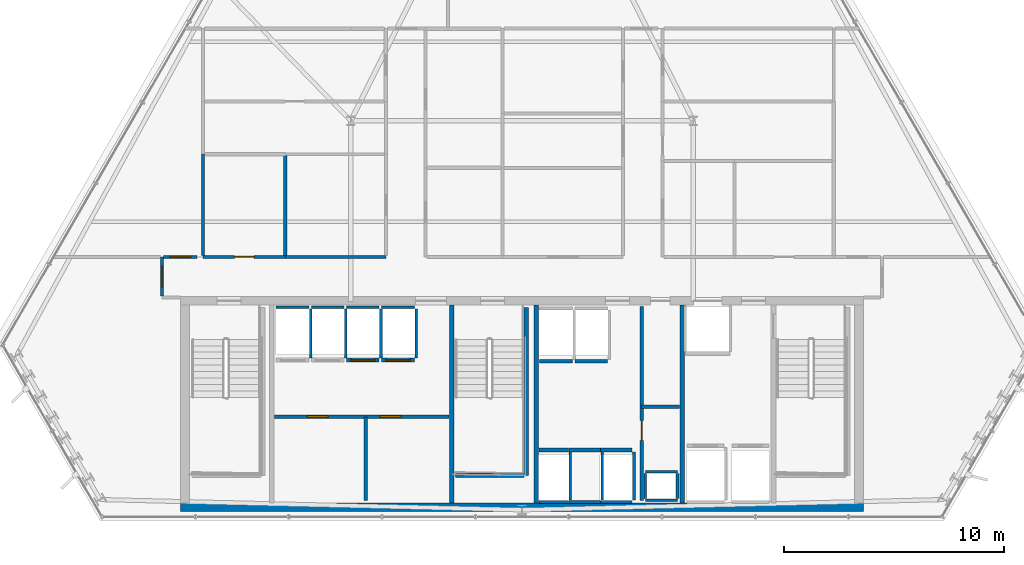
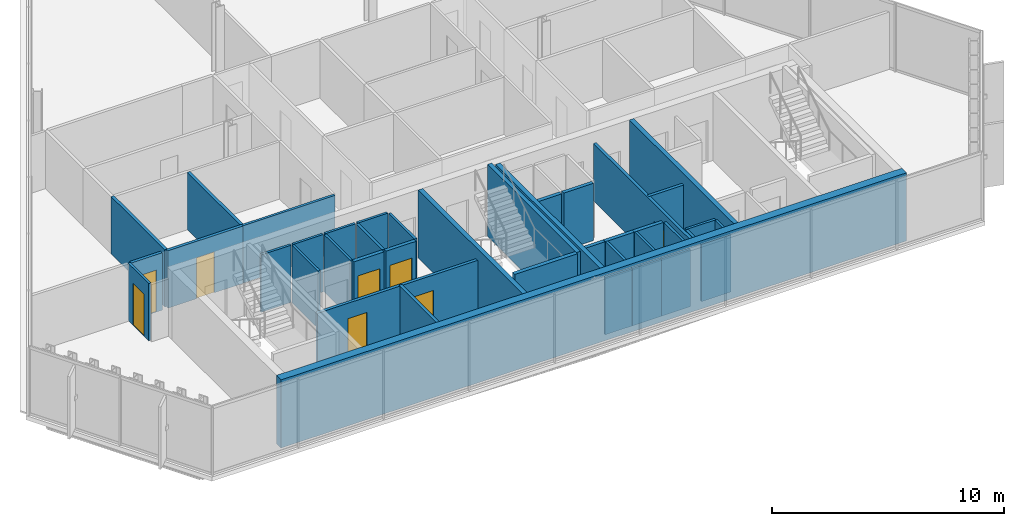
# One storey, part 27 of 34: 41 walls, 8 doors, 8 openings.
"""IFC4 building model written with IfcOpenShell, lengths in metres."""

from ifc_helpers import new_model, si_unit, direction, frame, frame_2d, origin, place, context, subcontext, project, spatial, rectangle, extrude, material, layer, layer_set, type_object, element, fill, save


model = new_model("IFC4")

# Units and contexts
model_context = context("Model", 3, precision=1e-05, world=origin(), true_north=direction((0.0, 1.0)))
body_context = subcontext(model_context, "Body", "Model", "MODEL_VIEW")
ifc_project = project(units=[si_unit("LENGTHUNIT", "METRE"), si_unit("AREAUNIT", "SQUARE_METRE"), si_unit("VOLUMEUNIT", "CUBIC_METRE"), si_unit("PLANEANGLEUNIT", "RADIAN"), si_unit("MASSUNIT", "GRAM", prefix="KILO")], contexts=[model_context])

# Site, building, storey
site_placement = place(None, origin())
site = spatial("IfcSite", under=ifc_project, at=site_placement, CompositionType="ELEMENT")
building_placement = place(site_placement, origin())
building = spatial("IfcBuilding", under=site, at=building_placement, Name="Ndaravel Arena Tower", CompositionType="ELEMENT")
storey_placement = place(building_placement, frame((0.0, 0.0, 191.60009765625)))
storey = spatial("IfcBuildingStorey", under=building, at=storey_placement, Name="L46", CompositionType="ELEMENT", Elevation=191.60009765625)

# Wall, opening, door
ifc_material_1 = material(Name="Gypsum", Category="gypsum")
ifc_layer_1 = layer(ifc_material_1, 0.14990234375)
ifc_layer_set_1 = layer_set([ifc_layer_1], Name="Gypsum")
wall_type_1 = type_object("IfcWallType", Name="WALL-COMP-150", PredefinedType="PARTITIONING", material=ifc_layer_set_1)
wall_1_placement = place(storey_placement, frame((47.449951171875, 5.89990234375, 0.0), z_axis=(0.0, 0.0, 1.0), x_axis=(0.0, 1.0, 0.0)))
wall_1 = element("IfcWall", 1, at=wall_1_placement, inside=storey, type_object=wall_type_1, Name="L46 Core Riser Bay Partition", PredefinedType="PARTITIONING", context=body_context, shape_type="SweptSolid", body=[
    extrude(rectangle(XDim=8.85009765625, YDim=0.14990234375, at=frame_2d((4.425048828125, 0.0))), origin(), (0.0, 0.0, 1.0), 3.010498046875),
])
opening_1_placement = place(wall_1_placement, frame((2.75, 0.0, 0.0)))
opening_1 = element("IfcOpeningElement", 2, at=opening_1_placement, cuts=wall_1, Name="Opening RD-01", PredefinedType="OPENING", context=body_context, shape_type="SweptSolid", body=[
    extrude(rectangle(XDim=0.89990234375, YDim=2.10009765625, at=frame_2d((0.449951171875, 1.050048828125))), frame((0.0, 0.074951171875, 0.0), z_axis=(0.0, -1.0, 0.0), x_axis=(1.0, 0.0, 0.0)), (0.0, 0.0, 1.0), 0.14990234375),
])
ifc_material_2 = material(Name="Steel S355", Category="steel")
door_type_1 = type_object("IfcDoorType", Name="DT-08-RISER-900", OperationType="SINGLE_SWING_LEFT", PredefinedType="DOOR", material=ifc_material_2)
door_1_placement = place(opening_1_placement, origin())
door_1 = element("IfcDoor", 3, at=door_1_placement, inside=storey, type_object=door_type_1, Name="L46 Electrical Riser Door", OperationType="SINGLE_SWING_RIGHT", OverallHeight=2.10009765625, OverallWidth=0.89990234375, PredefinedType="DOOR", context=body_context, shape_type="SweptSolid", body=[
    extrude(rectangle(XDim=0.89990234375, YDim=2.10009765625, at=frame_2d((0.449951171875, 1.050048828125))), frame((0.0, 0.02490234375, 0.0), z_axis=(0.0, -1.0, 0.0), x_axis=(1.0, 0.0, 0.0)), (0.0, 0.0, 1.0), 0.050048828125),
])
fill(opening_1, door_1)

# Wall
wall_2_placement = place(storey_placement, frame((47.449951171875, 10.179931640625, 0.0), z_axis=(0.0, 0.0, 1.0), x_axis=(1.0, 0.0, 0.0)))
element("IfcWall", 4, at=wall_2_placement, inside=storey, type_object=wall_type_1, Name="L46 Core Riser Divider 1", PredefinedType="PARTITIONING", context=body_context, shape_type="SweptSolid", body=[
    extrude(rectangle(XDim=1.72998046875, YDim=0.14990234375, at=frame_2d((0.864990234375, 0.0))), origin(), (0.0, 0.0, 1.0), 3.010498046875),
])

# Wall, openings, doors
wall_3_placement = place(storey_placement, frame((30.719970703125, 9.719970703125, 0.0), z_axis=(0.0, 0.0, 1.0), x_axis=(1.0, 0.0, 0.0)))
wall_3 = element("IfcWall", 5, at=wall_3_placement, inside=storey, type_object=wall_type_1, Name="L46 Reclaimed Shaft Partition", PredefinedType="PARTITIONING", context=body_context, shape_type="SweptSolid", body=[
    extrude(rectangle(XDim=7.9599609375, YDim=0.14990234375, at=frame_2d((3.97998046875, 0.0))), origin(), (0.0, 0.0, 1.0), 3.010498046875),
])
opening_2_placement = place(wall_3_placement, frame((1.5, 0.0, 0.0)))
opening_2 = element("IfcOpeningElement", 6, at=opening_2_placement, cuts=wall_3, Name="Opening FD-03", PredefinedType="OPENING", context=body_context, shape_type="SweptSolid", body=[
    extrude(rectangle(XDim=0.949951171875, YDim=2.199951171875, at=frame_2d((0.47509765625, 1.10009765625))), frame((0.0, 0.074951171875, 0.0), z_axis=(0.0, -1.0, 0.0), x_axis=(1.0, 0.0, 0.0)), (0.0, 0.0, 1.0), 0.14990234375),
])
opening_3_placement = place(wall_3_placement, frame((4.81005859375, 0.0, 0.0)))
opening_3 = element("IfcOpeningElement", 7, at=opening_3_placement, cuts=wall_3, Name="Opening FD-03", PredefinedType="OPENING", context=body_context, shape_type="SweptSolid", body=[
    extrude(rectangle(XDim=0.949951171875, YDim=2.199951171875, at=frame_2d((0.47509765625, 1.10009765625))), frame((0.0, 0.074951171875, 0.0), z_axis=(0.0, -1.0, 0.0), x_axis=(1.0, 0.0, 0.0)), (0.0, 0.0, 1.0), 0.14990234375),
])
ifc_material_3 = material(Name="Steel S355", Category="steel")
door_type_2 = type_object("IfcDoorType", Name="DT-11-CORE-950", OperationType="SINGLE_SWING_LEFT", PredefinedType="DOOR", material=ifc_material_3)
door_2_placement = place(opening_2_placement, origin())
door_2 = element("IfcDoor", 8, at=door_2_placement, inside=storey, type_object=door_type_2, Name="L46 ICT Server Room Door", OperationType="SINGLE_SWING_LEFT", OverallHeight=2.199951171875, OverallWidth=0.949951171875, PredefinedType="DOOR", context=body_context, shape_type="SweptSolid", body=[
    extrude(rectangle(XDim=0.949951171875, YDim=2.199951171875, at=frame_2d((0.47509765625, 1.10009765625))), frame((0.0, 0.02490234375, 0.0), z_axis=(0.0, -1.0, 0.0), x_axis=(1.0, 0.0, 0.0)), (0.0, 0.0, 1.0), 0.050048828125),
])
fill(opening_2, door_2)
door_3_placement = place(opening_3_placement, origin())
door_3 = element("IfcDoor", 9, at=door_3_placement, inside=storey, type_object=door_type_2, Name="L46 Core Archive Room Door", OperationType="SINGLE_SWING_RIGHT", OverallHeight=2.199951171875, OverallWidth=0.949951171875, PredefinedType="DOOR", context=body_context, shape_type="SweptSolid", body=[
    extrude(rectangle(XDim=0.949951171875, YDim=2.199951171875, at=frame_2d((0.47509765625, 1.10009765625))), frame((0.0, 0.02490234375, 0.0), z_axis=(0.0, -1.0, 0.0), x_axis=(1.0, 0.0, 0.0)), (0.0, 0.0, 1.0), 0.050048828125),
])
fill(opening_3, door_3)

# Walls
wall_4_placement = place(storey_placement, frame((34.8798828125, 5.89990234375, 0.0), z_axis=(0.0, 0.0, 1.0), x_axis=(0.0, 1.0, 0.0)))
element("IfcWall", 10, at=wall_4_placement, inside=storey, type_object=wall_type_1, Name="L46 Reclaimed Bay Divider", PredefinedType="PARTITIONING", context=body_context, shape_type="SweptSolid", body=[
    extrude(rectangle(XDim=3.820068359375, YDim=0.14990234375, at=frame_2d((1.91015625, 0.0))), origin(), (0.0, 0.0, 1.0), 3.010498046875),
])
ifc_material_4 = material(Name="Concrete C50/60", Category="concrete")
ifc_layer_2 = layer(ifc_material_4, 0.219970703125)
ifc_layer_set_2 = layer_set([ifc_layer_2], Name="Concrete C50/60")
wall_type_2 = type_object("IfcWallType", Name="WALL-CORE-220", PredefinedType="SOLIDWALL", material=ifc_layer_set_2)
for number, where, z_axis, x_axis, name in (
    (11, (38.800048828125, 5.800048828125, 0.0), (0.0, 0.0, 1.0), (0.0, 1.0, 0.0), "L46 Core Web Shear Wall 2"),
    (12, (42.64990234375, 5.800048828125, 0.0), (0.0, 0.0, 1.0), (0.0, 1.0, 0.0), "L46 Core Web Shear Wall 3"),
    (13, (49.300048828125, 5.800048828125, 0.0), (0.0, 0.0, 1.0), (0.0, 1.0, 0.0), "L46 Core Web Shear Wall 4"),
):
    element("IfcWall", number, at=place(storey_placement, frame(where, z_axis=z_axis, x_axis=x_axis)), inside=storey, type_object=wall_type_2, Name=name, PredefinedType="SOLIDWALL", context=body_context, shape_type="SweptSolid", body=[
        extrude(rectangle(XDim=9.0, YDim=0.219970703125, at=frame_2d((4.5, 0.0))), origin(), (0.0, 0.0, 1.0), 3.579833984375),
    ])
ifc_material_5 = material(Name="Concrete C50/60", Category="concrete")
ifc_layer_3 = layer(ifc_material_5, 0.39990234375)
ifc_layer_set_3 = layer_set([ifc_layer_3], Name="Concrete C50/60")
wall_type_3 = type_object("IfcWallType", Name="WALL-CORE-400", PredefinedType="SOLIDWALL", material=ifc_layer_set_3)
wall_5_placement = place(storey_placement, frame((26.449951171875, 5.60009765625, 0.0), z_axis=(0.0, 0.0, 1.0), x_axis=(1.0, 0.0, 0.0)))
element("IfcWall", 14, at=wall_5_placement, inside=storey, type_object=wall_type_3, Name="L46 Core South Shear Wall", PredefinedType="SOLIDWALL", context=body_context, shape_type="SweptSolid", body=[
    extrude(rectangle(XDim=31.10009765625, YDim=0.39990234375, at=frame_2d((15.550048828125, 0.0))), origin(), (0.0, 0.0, 1.0), 3.579833984375),
])

# Wall, opening, door
ifc_material_6 = material(Name="Gypsum", Category="gypsum")
ifc_layer_4 = layer(ifc_material_6, 0.125)
ifc_layer_set_4 = layer_set([ifc_layer_4], Name="Gypsum")
wall_type_4 = type_object("IfcWallType", Name="WALL-PART-125", PredefinedType="PARTITIONING", material=ifc_layer_set_4)
wall_6_placement = place(storey_placement, frame((25.60009765625, 15.215087890625, 0.0), z_axis=(0.0, 0.0, 1.0), x_axis=(0.0, 1.0, 0.0)))
wall_6 = element("IfcWall", 15, at=wall_6_placement, inside=storey, type_object=wall_type_4, Name="L46 Interior Partition 004", PredefinedType="PARTITIONING", context=body_context, shape_type="SweptSolid", body=[
    extrude(rectangle(XDim=1.784912109375, YDim=0.125, at=frame_2d((0.892578125, 0.0))), origin(), (0.0, 0.0, 1.0), 3.010498046875),
])
opening_4_placement = place(wall_6_placement, frame((0.41748046875, 0.0, 0.0)))
opening_4 = element("IfcOpeningElement", 16, at=opening_4_placement, cuts=wall_6, Name="Opening ID-01", PredefinedType="OPENING", context=body_context, shape_type="SweptSolid", body=[
    extrude(rectangle(XDim=0.949951171875, YDim=2.199951171875, at=frame_2d((0.47509765625, 1.10009765625))), frame((0.0, 0.0625, 0.0), z_axis=(0.0, -1.0, 0.0), x_axis=(1.0, 0.0, 0.0)), (0.0, 0.0, 1.0), 0.125),
])
ifc_material_7 = material(Name="Timber", Category="wood")
door_type_3 = type_object("IfcDoorType", Name="DT-03-OFFICE-950", OperationType="SINGLE_SWING_LEFT", PredefinedType="DOOR", material=ifc_material_7)
door_4_placement = place(opening_4_placement, origin())
door_4 = element("IfcDoor", 17, at=door_4_placement, inside=storey, type_object=door_type_3, Name="L46 Collaborative Lounge Door", OperationType="SINGLE_SWING_LEFT", OverallHeight=2.199951171875, OverallWidth=0.949951171875, PredefinedType="DOOR", context=body_context, shape_type="SweptSolid", body=[
    extrude(rectangle(XDim=0.949951171875, YDim=2.199951171875, at=frame_2d((0.47509765625, 1.10009765625))), frame((0.0, 0.02490234375, 0.0), z_axis=(0.0, -1.0, 0.0), x_axis=(1.0, 0.0, 0.0)), (0.0, 0.0, 1.0), 0.050048828125),
])
fill(opening_4, door_4)

# Walls
wall_7_placement = place(storey_placement, frame((31.220458984375, 17.0, 0.0), z_axis=(0.0, 0.0, 1.0), x_axis=(1.0, 0.0, 0.0)))
element("IfcWall", 18, at=wall_7_placement, inside=storey, type_object=wall_type_4, Name="L46 Interior Partition 007", PredefinedType="PARTITIONING", context=body_context, shape_type="SweptSolid", body=[
    extrude(rectangle(XDim=4.57958984375, YDim=0.125, at=frame_2d((2.289794921875, 0.0))), origin(), (0.0, 0.0, 1.0), 3.010498046875),
])
ifc_material_8 = material(Name="Concrete C40/50", Category="concrete")
ifc_layer_5 = layer(ifc_material_8, 0.1201171875)
ifc_layer_set_5 = layer_set([ifc_layer_5], Name="Concrete C40/50")
wall_type_5 = type_object("IfcWallType", Name="WALL-SHAFT-120", PredefinedType="SOLIDWALL", material=ifc_layer_set_5)
for number, where, z_axis, x_axis, name in (
    (19, (47.6201171875, 5.919921875, 0.0), (0.0, 0.0, 1.0), (1.0, 0.0, 0.0), "L46 MEP Riser Shaft S Wall"),
    (20, (47.6201171875, 7.219970703125, 0.0), (0.0, 0.0, 1.0), (1.0, 0.0, 0.0), "L46 MEP Riser Shaft N Wall"),
):
    element("IfcWall", number, at=place(storey_placement, frame(where, z_axis=z_axis, x_axis=x_axis)), inside=storey, type_object=wall_type_5, Name=name, PredefinedType="SOLIDWALL", context=body_context, shape_type="SweptSolid", body=[
        extrude(rectangle(XDim=1.4599609375, YDim=0.1201171875, at=frame_2d((0.72998046875, 0.0))), origin(), (0.0, 0.0, 1.0), 3.010498046875),
    ])
for number, where, z_axis, x_axis, name in (
    (21, (47.6201171875, 6.0, 0.0), (0.0, 0.0, 1.0), (0.0, 1.0, 0.0), "L46 MEP Riser Shaft W Wall"),
    (22, (49.080078125, 6.0, 0.0), (0.0, 0.0, 1.0), (0.0, 1.0, 0.0), "L46 MEP Riser Shaft E Wall"),
):
    element("IfcWall", number, at=place(storey_placement, frame(where, z_axis=z_axis, x_axis=x_axis)), inside=storey, type_object=wall_type_5, Name=name, PredefinedType="SOLIDWALL", context=body_context, shape_type="SweptSolid", body=[
        extrude(rectangle(XDim=1.139892578125, YDim=0.1201171875, at=frame_2d((0.56982421875, 0.0))), origin(), (0.0, 0.0, 1.0), 3.010498046875),
    ])
wall_8_placement = place(storey_placement, frame((30.804931640625, 14.7099609375, 0.0), z_axis=(0.0, 0.0, 1.0), x_axis=(1.0, 0.0, 0.0)))
element("IfcWall", 23, at=wall_8_placement, inside=storey, type_object=wall_type_5, Name="L46 PL-M1 Shaft Rear Wall", PredefinedType="SOLIDWALL", context=body_context, shape_type="SweptSolid", body=[
    extrude(rectangle(XDim=1.489990234375, YDim=0.1201171875, at=frame_2d((0.7451171875, 0.0))), origin(), (0.0, 0.0, 1.0), 3.010498046875),
])
wall_9_placement = place(storey_placement, frame((32.375, 12.389892578125, 0.0), z_axis=(0.0, 0.0, 1.0), x_axis=(0.0, 1.0, 0.0)))
element("IfcWall", 24, at=wall_9_placement, inside=storey, type_object=wall_type_5, Name="L46 PL-M1 Shaft Side R Wall", PredefinedType="SOLIDWALL", context=body_context, shape_type="SweptSolid", body=[
    extrude(rectangle(XDim=2.230224609375, YDim=0.1201171875, at=frame_2d((1.115234375, 0.0))), origin(), (0.0, 0.0, 1.0), 3.010498046875),
])
wall_10_placement = place(storey_placement, frame((32.405029296875, 14.7099609375, 0.0), z_axis=(0.0, 0.0, 1.0), x_axis=(1.0, 0.0, 0.0)))
element("IfcWall", 25, at=wall_10_placement, inside=storey, type_object=wall_type_5, Name="L46 PL-M2 Shaft Rear Wall", PredefinedType="SOLIDWALL", context=body_context, shape_type="SweptSolid", body=[
    extrude(rectangle(XDim=1.489990234375, YDim=0.1201171875, at=frame_2d((0.7451171875, 0.0))), origin(), (0.0, 0.0, 1.0), 3.010498046875),
])
wall_11_placement = place(storey_placement, frame((33.97509765625, 12.389892578125, 0.0), z_axis=(0.0, 0.0, 1.0), x_axis=(0.0, 1.0, 0.0)))
element("IfcWall", 26, at=wall_11_placement, inside=storey, type_object=wall_type_5, Name="L46 PL-M2 Shaft Side R Wall", PredefinedType="SOLIDWALL", context=body_context, shape_type="SweptSolid", body=[
    extrude(rectangle(XDim=2.230224609375, YDim=0.1201171875, at=frame_2d((1.115234375, 0.0))), origin(), (0.0, 0.0, 1.0), 3.010498046875),
])
wall_12_placement = place(storey_placement, frame((34.0048828125, 14.7099609375, 0.0), z_axis=(0.0, 0.0, 1.0), x_axis=(1.0, 0.0, 0.0)))
element("IfcWall", 27, at=wall_12_placement, inside=storey, type_object=wall_type_5, Name="L46 PL-M3 Shaft Rear Wall", PredefinedType="SOLIDWALL", context=body_context, shape_type="SweptSolid", body=[
    extrude(rectangle(XDim=1.490234375, YDim=0.1201171875, at=frame_2d((0.7451171875, 0.0))), origin(), (0.0, 0.0, 1.0), 3.010498046875),
])
wall_13_placement = place(storey_placement, frame((35.574951171875, 12.389892578125, 0.0), z_axis=(0.0, 0.0, 1.0), x_axis=(0.0, 1.0, 0.0)))
element("IfcWall", 28, at=wall_13_placement, inside=storey, type_object=wall_type_5, Name="L46 PL-M3 Shaft Side R Wall", PredefinedType="SOLIDWALL", context=body_context, shape_type="SweptSolid", body=[
    extrude(rectangle(XDim=2.230224609375, YDim=0.1201171875, at=frame_2d((1.115234375, 0.0))), origin(), (0.0, 0.0, 1.0), 3.010498046875),
])
wall_14_placement = place(storey_placement, frame((35.60498046875, 14.7099609375, 0.0), z_axis=(0.0, 0.0, 1.0), x_axis=(1.0, 0.0, 0.0)))
element("IfcWall", 29, at=wall_14_placement, inside=storey, type_object=wall_type_5, Name="L46 PL-M4 Shaft Rear Wall", PredefinedType="SOLIDWALL", context=body_context, shape_type="SweptSolid", body=[
    extrude(rectangle(XDim=1.489990234375, YDim=0.1201171875, at=frame_2d((0.7451171875, 0.0))), origin(), (0.0, 0.0, 1.0), 3.010498046875),
])
wall_15_placement = place(storey_placement, frame((37.175048828125, 12.389892578125, 0.0), z_axis=(0.0, 0.0, 1.0), x_axis=(0.0, 1.0, 0.0)))
element("IfcWall", 30, at=wall_15_placement, inside=storey, type_object=wall_type_5, Name="L46 PL-M4 Shaft Side R Wall", PredefinedType="SOLIDWALL", context=body_context, shape_type="SweptSolid", body=[
    extrude(rectangle(XDim=2.230224609375, YDim=0.1201171875, at=frame_2d((1.115234375, 0.0))), origin(), (0.0, 0.0, 1.0), 3.010498046875),
])
wall_16_placement = place(storey_placement, frame((42.780029296875, 5.840087890625, 0.0), z_axis=(0.0, 0.0, 1.0), x_axis=(1.0, 0.0, 0.0)))
element("IfcWall", 31, at=wall_16_placement, inside=storey, type_object=wall_type_5, Name="L46 PL-H1 Shaft Rear Wall", PredefinedType="SOLIDWALL", context=body_context, shape_type="SweptSolid", body=[
    extrude(rectangle(XDim=1.340087890625, YDim=0.1201171875, at=frame_2d((0.669921875, 0.0))), origin(), (0.0, 0.0, 1.0), 3.010498046875),
])
wall_17_placement = place(storey_placement, frame((44.199951171875, 5.929931640625, 0.0), z_axis=(0.0, 0.0, 1.0), x_axis=(0.0, 1.0, 0.0)))
element("IfcWall", 32, at=wall_17_placement, inside=storey, type_object=wall_type_5, Name="L46 PL-H1 Shaft Side R Wall", PredefinedType="SOLIDWALL", context=body_context, shape_type="SweptSolid", body=[
    extrude(rectangle(XDim=2.18017578125, YDim=0.1201171875, at=frame_2d((1.090087890625, 0.0))), origin(), (0.0, 0.0, 1.0), 3.010498046875),
])
wall_18_placement = place(storey_placement, frame((44.1298828125, 5.840087890625, 0.0), z_axis=(0.0, 0.0, 1.0), x_axis=(1.0, 0.0, 0.0)))
element("IfcWall", 33, at=wall_18_placement, inside=storey, type_object=wall_type_5, Name="L46 PL-H2 Shaft Rear Wall", PredefinedType="SOLIDWALL", context=body_context, shape_type="SweptSolid", body=[
    extrude(rectangle(XDim=1.440185546875, YDim=0.1201171875, at=frame_2d((0.72021484375, 0.0))), origin(), (0.0, 0.0, 1.0), 3.010498046875),
])
wall_19_placement = place(storey_placement, frame((45.64990234375, 5.929931640625, 0.0), z_axis=(0.0, 0.0, 1.0), x_axis=(0.0, 1.0, 0.0)))
element("IfcWall", 34, at=wall_19_placement, inside=storey, type_object=wall_type_5, Name="L46 PL-H2 Shaft Side R Wall", PredefinedType="SOLIDWALL", context=body_context, shape_type="SweptSolid", body=[
    extrude(rectangle(XDim=2.18017578125, YDim=0.1201171875, at=frame_2d((1.090087890625, 0.0))), origin(), (0.0, 0.0, 1.0), 3.010498046875),
])
wall_20_placement = place(storey_placement, frame((45.580078125, 5.840087890625, 0.0), z_axis=(0.0, 0.0, 1.0), x_axis=(1.0, 0.0, 0.0)))
element("IfcWall", 35, at=wall_20_placement, inside=storey, type_object=wall_type_5, Name="L46 PL-H3 Shaft Rear Wall", PredefinedType="SOLIDWALL", context=body_context, shape_type="SweptSolid", body=[
    extrude(rectangle(XDim=1.43994140625, YDim=0.1201171875, at=frame_2d((0.719970703125, 0.0))), origin(), (0.0, 0.0, 1.0), 3.010498046875),
])
wall_21_placement = place(storey_placement, frame((47.10009765625, 5.929931640625, 0.0), z_axis=(0.0, 0.0, 1.0), x_axis=(0.0, 1.0, 0.0)))
element("IfcWall", 36, at=wall_21_placement, inside=storey, type_object=wall_type_5, Name="L46 PL-H3 Shaft Side R Wall", PredefinedType="SOLIDWALL", context=body_context, shape_type="SweptSolid", body=[
    extrude(rectangle(XDim=2.18017578125, YDim=0.1201171875, at=frame_2d((1.090087890625, 0.0))), origin(), (0.0, 0.0, 1.0), 3.010498046875),
])
ifc_material_9 = material(Name="Concrete C40/50", Category="concrete")
ifc_layer_6 = layer(ifc_material_9, 0.199951171875)
ifc_layer_set_6 = layer_set([ifc_layer_6], Name="Concrete C40/50")
wall_type_6 = type_object("IfcWallType", Name="WALL-SHAFT-200", PredefinedType="SOLIDWALL", material=ifc_layer_set_6)
wall_22_placement = place(storey_placement, frame((42.18994140625, 14.699951171875, 0.0), z_axis=(0.0, 0.0, 1.0), x_axis=(0.0, -1.0, 0.0)))
element("IfcWall", 37, at=wall_22_placement, inside=storey, type_object=wall_type_6, Name="L46 ST-2 Structural Shaft Wall Right", PredefinedType="SOLIDWALL", context=body_context, shape_type="SweptSolid", body=[
    extrude(rectangle(XDim=7.64990234375, YDim=0.199951171875, at=frame_2d((3.824951171875, 0.0))), origin(), (0.0, 0.0, 1.0), 3.7998046875),
])
wall_23_placement = place(storey_placement, frame((38.969970703125, 7.050048828125, 0.0), z_axis=(0.0, 0.0, 1.0), x_axis=(1.0, 0.0, 0.0)))
element("IfcWall", 38, at=wall_23_placement, inside=storey, type_object=wall_type_6, Name="L46 ST-2 Structural Shaft Wall Far", PredefinedType="SOLIDWALL", context=body_context, shape_type="SweptSolid", body=[
    extrude(rectangle(XDim=3.114990234375, YDim=0.199951171875, at=frame_2d((1.5576171875, 0.0))), origin(), (0.0, 0.0, 1.0), 3.7998046875),
])

# Wall, opening, door
wall_24_placement = place(storey_placement, frame((34.0048828125, 12.300048828125, 0.0), z_axis=(0.0, 0.0, 1.0), x_axis=(1.0, 0.0, 0.0)))
wall_24 = element("IfcWall", 39, at=wall_24_placement, inside=storey, type_object=wall_type_6, Name="L46 PL-M3 Shaft Landing Wall", PredefinedType="SOLIDWALL", context=body_context, shape_type="SweptSolid", body=[
    extrude(rectangle(XDim=1.490234375, YDim=0.179931640625, at=frame_2d((0.7451171875, 0.0))), origin(), (0.0, 0.0, 1.0), 3.010498046875),
])
opening_5_placement = place(wall_24_placement, frame((0.195068359375, 0.0, 0.0)))
opening_5 = element("IfcOpeningElement", 40, at=opening_5_placement, cuts=wall_24, Name="Opening LD-01", PredefinedType="OPENING", context=body_context, shape_type="SweptSolid", body=[
    extrude(rectangle(XDim=1.10009765625, YDim=2.199951171875, at=frame_2d((0.550048828125, 1.10009765625))), frame((0.0, 0.08984375, 0.0), z_axis=(0.0, -1.0, 0.0), x_axis=(1.0, 0.0, 0.0)), (0.0, 0.0, 1.0), 0.179931640625),
])
ifc_material_10 = material(Name="Steel S355", Category="steel")
door_type_4 = type_object("IfcDoorType", Name="DT-06-LIFT-1100", OperationType="SLIDING_TO_LEFT", PredefinedType="DOOR", material=ifc_material_10)
door_5_placement = place(opening_5_placement, origin())
door_5 = element("IfcDoor", 41, at=door_5_placement, inside=storey, type_object=door_type_4, Name="L46 Lift PL-M3 Sliding Landing Door", OperationType="SLIDING_TO_LEFT", OverallHeight=2.199951171875, OverallWidth=1.10009765625, PredefinedType="DOOR", context=body_context, shape_type="SweptSolid", body=[
    extrude(rectangle(XDim=1.10009765625, YDim=2.199951171875, at=frame_2d((0.550048828125, 1.10009765625))), frame((0.0, 0.02490234375, 0.0), z_axis=(0.0, -1.0, 0.0), x_axis=(1.0, 0.0, 0.0)), (0.0, 0.0, 1.0), 0.050048828125),
])
fill(opening_5, door_5)

wall_25_placement = place(storey_placement, frame((35.60498046875, 12.300048828125, 0.0), z_axis=(0.0, 0.0, 1.0), x_axis=(1.0, 0.0, 0.0)))
wall_25 = element("IfcWall", 42, at=wall_25_placement, inside=storey, type_object=wall_type_6, Name="L46 PL-M4 Shaft Landing Wall", PredefinedType="SOLIDWALL", context=body_context, shape_type="SweptSolid", body=[
    extrude(rectangle(XDim=1.489990234375, YDim=0.179931640625, at=frame_2d((0.7451171875, 0.0))), origin(), (0.0, 0.0, 1.0), 3.010498046875),
])
opening_6_placement = place(wall_25_placement, frame((0.195068359375, 0.0, 0.0)))
opening_6 = element("IfcOpeningElement", 43, at=opening_6_placement, cuts=wall_25, Name="Opening LD-01", PredefinedType="OPENING", context=body_context, shape_type="SweptSolid", body=[
    extrude(rectangle(XDim=1.10009765625, YDim=2.199951171875, at=frame_2d((0.550048828125, 1.10009765625))), frame((0.0, 0.08984375, 0.0), z_axis=(0.0, -1.0, 0.0), x_axis=(1.0, 0.0, 0.0)), (0.0, 0.0, 1.0), 0.179931640625),
])
door_6_placement = place(opening_6_placement, origin())
door_6 = element("IfcDoor", 44, at=door_6_placement, inside=storey, type_object=door_type_4, Name="L46 Lift PL-M4 Sliding Landing Door", OperationType="SLIDING_TO_LEFT", OverallHeight=2.199951171875, OverallWidth=1.10009765625, PredefinedType="DOOR", context=body_context, shape_type="SweptSolid", body=[
    extrude(rectangle(XDim=1.10009765625, YDim=2.199951171875, at=frame_2d((0.550048828125, 1.10009765625))), frame((0.0, 0.02490234375, 0.0), z_axis=(0.0, -1.0, 0.0), x_axis=(1.0, 0.0, 0.0)), (0.0, 0.0, 1.0), 0.050048828125),
])
fill(opening_6, door_6)

# Walls
wall_26_placement = place(storey_placement, frame((42.780029296875, 8.199951171875, 0.0), z_axis=(0.0, 0.0, 1.0), x_axis=(1.0, 0.0, 0.0)))
element("IfcWall", 45, at=wall_26_placement, inside=storey, type_object=wall_type_6, Name="L46 PL-H1 Shaft Landing Wall", PredefinedType="SOLIDWALL", context=body_context, shape_type="SweptSolid", body=[
    extrude(rectangle(XDim=1.340087890625, YDim=0.179931640625, at=frame_2d((0.669921875, 0.0))), origin(), (0.0, 0.0, 1.0), 3.010498046875),
])
wall_27_placement = place(storey_placement, frame((44.1298828125, 8.199951171875, 0.0), z_axis=(0.0, 0.0, 1.0), x_axis=(1.0, 0.0, 0.0)))
element("IfcWall", 46, at=wall_27_placement, inside=storey, type_object=wall_type_6, Name="L46 PL-H2 Shaft Landing Wall", PredefinedType="SOLIDWALL", context=body_context, shape_type="SweptSolid", body=[
    extrude(rectangle(XDim=1.440185546875, YDim=0.179931640625, at=frame_2d((0.72021484375, 0.0))), origin(), (0.0, 0.0, 1.0), 3.010498046875),
])
wall_28_placement = place(storey_placement, frame((45.580078125, 8.199951171875, 0.0), z_axis=(0.0, 0.0, 1.0), x_axis=(1.0, 0.0, 0.0)))
element("IfcWall", 47, at=wall_28_placement, inside=storey, type_object=wall_type_6, Name="L46 PL-H3 Shaft Landing Wall", PredefinedType="SOLIDWALL", context=body_context, shape_type="SweptSolid", body=[
    extrude(rectangle(XDim=1.43994140625, YDim=0.179931640625, at=frame_2d((0.719970703125, 0.0))), origin(), (0.0, 0.0, 1.0), 3.010498046875),
])
for number, where, z_axis, x_axis, name in (
    (48, (42.804931640625, 12.25, 0.0), (0.0, 0.0, 1.0), (1.0, 0.0, 0.0), "L46 PL-OBS1 Shaft Landing Wall"),
    (49, (44.405029296875, 12.25, 0.0), (0.0, 0.0, 1.0), (1.0, 0.0, 0.0), "L46 PL-OBS2 Shaft Landing Wall"),
):
    element("IfcWall", number, at=place(storey_placement, frame(where, z_axis=z_axis, x_axis=x_axis)), inside=storey, type_object=wall_type_6, Name=name, PredefinedType="SOLIDWALL", context=body_context, shape_type="SweptSolid", body=[
        extrude(rectangle(XDim=1.489990234375, YDim=0.179931640625, at=frame_2d((0.7451171875, 0.0))), origin(), (0.0, 0.0, 1.0), 3.010498046875),
    ])

# Wall, opening, door
ifc_material_11 = material(Name="Masonry", Category="masonry")
ifc_layer_7 = layer(ifc_material_11, 0.14990234375)
ifc_layer_set_7 = layer_set([ifc_layer_7], Name="Masonry")
wall_type_7 = type_object("IfcWallType", Name="WALL-WET-150", PredefinedType="PARTITIONING", material=ifc_layer_set_7)
wall_29_placement = place(storey_placement, frame((25.6650390625, 17.0, 0.0), z_axis=(0.0, 0.0, 1.0), x_axis=(1.0, 0.0, 0.0)))
wall_29 = element("IfcWall", 50, at=wall_29_placement, inside=storey, type_object=wall_type_7, Name="L46 Interior Partition 005", PredefinedType="PARTITIONING", context=body_context, shape_type="SweptSolid", body=[
    extrude(rectangle(XDim=1.534912109375, YDim=0.14990234375, at=frame_2d((0.767578125, 0.0))), origin(), (0.0, 0.0, 1.0), 3.010498046875),
])
opening_7_placement = place(wall_29_placement, frame((0.29248046875, 0.0, 0.0)))
opening_7 = element("IfcOpeningElement", 51, at=opening_7_placement, cuts=wall_29, Name="Opening FD-03", PredefinedType="OPENING", context=body_context, shape_type="SweptSolid", body=[
    extrude(rectangle(XDim=0.949951171875, YDim=2.199951171875, at=frame_2d((0.47509765625, 1.10009765625))), frame((0.0, 0.074951171875, 0.0), z_axis=(0.0, -1.0, 0.0), x_axis=(1.0, 0.0, 0.0)), (0.0, 0.0, 1.0), 0.14990234375),
])
door_7_placement = place(opening_7_placement, origin())
door_7 = element("IfcDoor", 52, at=door_7_placement, inside=storey, type_object=door_type_2, Name="L46 Catering Pantry 2 Door", OperationType="SINGLE_SWING_LEFT", OverallHeight=2.199951171875, OverallWidth=0.949951171875, PredefinedType="DOOR", context=body_context, shape_type="SweptSolid", body=[
    extrude(rectangle(XDim=0.949951171875, YDim=2.199951171875, at=frame_2d((0.47509765625, 1.10009765625))), frame((0.0, 0.02490234375, 0.0), z_axis=(0.0, -1.0, 0.0), x_axis=(1.0, 0.0, 0.0)), (0.0, 0.0, 1.0), 0.050048828125),
])
fill(opening_7, door_7)

wall_30_placement = place(storey_placement, frame((27.4736328125, 17.0, 0.0), z_axis=(0.0, 0.0, 1.0), x_axis=(1.0, 0.0, 0.0)))
wall_30 = element("IfcWall", 53, at=wall_30_placement, inside=storey, type_object=wall_type_7, Name="L46 Interior Partition 006", PredefinedType="PARTITIONING", context=body_context, shape_type="SweptSolid", body=[
    extrude(rectangle(XDim=3.746826171875, YDim=0.14990234375, at=frame_2d((1.87353515625, 0.0))), origin(), (0.0, 0.0, 1.0), 3.010498046875),
])
opening_8_placement = place(wall_30_placement, frame((1.423583984375, 0.0, 0.0)))
opening_8 = element("IfcOpeningElement", 54, at=opening_8_placement, cuts=wall_30, Name="Opening WD-01", PredefinedType="OPENING", context=body_context, shape_type="SweptSolid", body=[
    extrude(rectangle(XDim=0.89990234375, YDim=2.14990234375, at=frame_2d((0.449951171875, 1.074951171875))), frame((0.0, 0.074951171875, 0.0), z_axis=(0.0, -1.0, 0.0), x_axis=(1.0, 0.0, 0.0)), (0.0, 0.0, 1.0), 0.14990234375),
])
ifc_material_12 = material(Name="Timber", Category="wood")
door_type_5 = type_object("IfcDoorType", Name="DT-05-WC-900", OperationType="SINGLE_SWING_LEFT", PredefinedType="DOOR", material=ifc_material_12)
door_8_placement = place(opening_8_placement, origin())
door_8 = element("IfcDoor", 55, at=door_8_placement, inside=storey, type_object=door_type_5, Name="L46 Female & Accessible Restroom Door", OperationType="SINGLE_SWING_LEFT", OverallHeight=2.14990234375, OverallWidth=0.89990234375, PredefinedType="DOOR", context=body_context, shape_type="SweptSolid", body=[
    extrude(rectangle(XDim=0.89990234375, YDim=2.14990234375, at=frame_2d((0.449951171875, 1.074951171875))), frame((0.0, 0.02490234375, 0.0), z_axis=(0.0, -1.0, 0.0), x_axis=(1.0, 0.0, 0.0)), (0.0, 0.0, 1.0), 0.050048828125),
])
fill(opening_8, door_8)

# Walls
wall_31_placement = place(storey_placement, frame((27.4736328125, 17.06494140625, 0.0), z_axis=(0.0, 0.0, 1.0), x_axis=(0.0, 1.0, 0.0)))
element("IfcWall", 56, at=wall_31_placement, inside=storey, type_object=wall_type_7, Name="L46 Interior Partition 035", PredefinedType="PARTITIONING", context=body_context, shape_type="SweptSolid", body=[
    extrude(rectangle(XDim=4.614990234375, YDim=0.14990234375, at=frame_2d((2.3076171875, 0.0))), origin(), (0.0, 0.0, 1.0), 3.010498046875),
])
wall_32_placement = place(storey_placement, frame((31.220458984375, 21.614990234375, 0.0), z_axis=(0.0, 0.0, 1.0), x_axis=(0.0, -1.0, 0.0)))
element("IfcWall", 57, at=wall_32_placement, inside=storey, type_object=wall_type_7, Name="L46 Interior Partition 037", PredefinedType="PARTITIONING", context=body_context, shape_type="SweptSolid", body=[
    extrude(rectangle(XDim=4.550048828125, YDim=0.14990234375, at=frame_2d((2.27490234375, 0.0))), origin(), (0.0, 0.0, 1.0), 3.010498046875),
])

save(model, "model.ifc")
